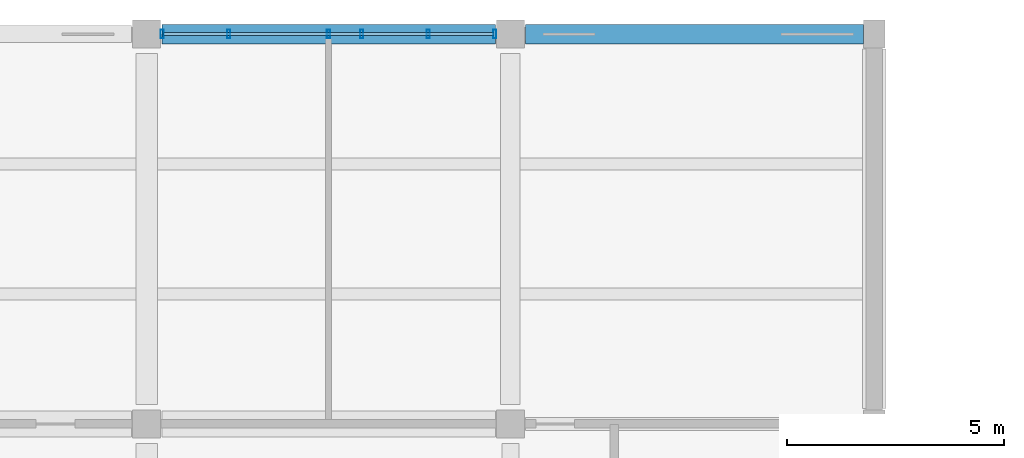
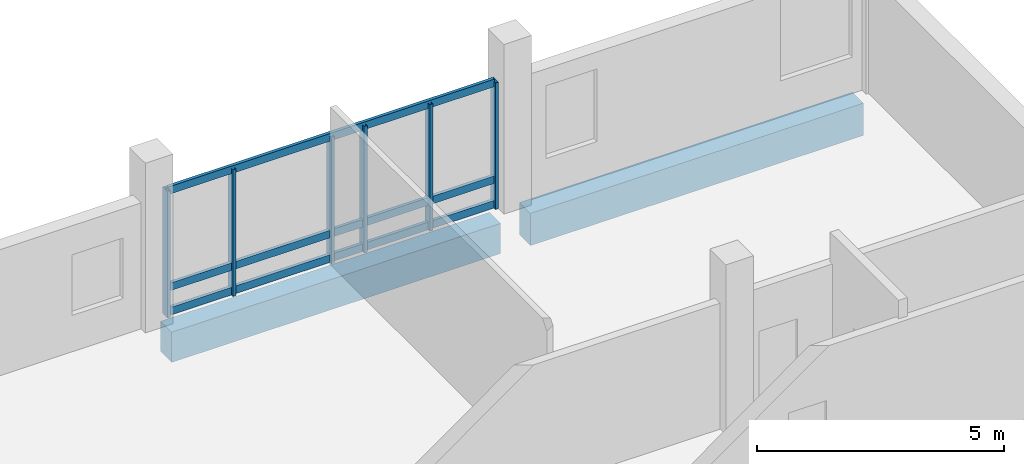
# One storey, part 64 of 101: 9 members, 2 beams, 1 element without a shape of its own.
"""IFC4 building model written with IfcOpenShell, lengths in metres."""

from ifc_helpers import new_model, si_unit, direction, frame, origin, origin_2d, place, context, subcontext, project, spatial, rectangle, hollow_rectangle, extrude, material, layer, layer_set, material_profile, profile_set, type_object, element, aggregate, save


model = new_model("IFC4")

# Units and contexts
model_context = context("Model", 3, precision=1e-05, world=origin(), true_north=direction((0.0, 1.0)))
body_context = subcontext(model_context, "Body", "Model", "MODEL_VIEW")
ifc_project = project(units=[si_unit("LENGTHUNIT", "METRE"), si_unit("AREAUNIT", "SQUARE_METRE"), si_unit("VOLUMEUNIT", "CUBIC_METRE"), si_unit("PLANEANGLEUNIT", "RADIAN"), si_unit("MASSUNIT", "GRAM", prefix="KILO")], contexts=[model_context])

# Site, building, storey
site_placement = place(None, origin())
site = spatial("IfcSite", under=ifc_project, at=site_placement, CompositionType="ELEMENT")
building_placement = place(site_placement, origin())
building = spatial("IfcBuilding", under=site, at=building_placement, Name="Vireocrest Preparatory School", CompositionType="ELEMENT")
storey_placement = place(building_placement, frame((0.0, 0.0, 4.800048828125)))
storey = spatial("IfcBuildingStorey", under=building, at=storey_placement, Name="L01", CompositionType="ELEMENT", Elevation=4.800048828125)

# Curtain wall, members
ifc_material_1 = material(Name="Thermally broken aluminium EN AW-6063-T6", Category="aluminium")
ifc_layer = layer(ifc_material_1, 0.179931640625)
ifc_layer_set = layer_set([ifc_layer], Name="Thermally broken aluminium EN AW-6063-T6")
curtain_wall_type = type_object("IfcCurtainWallType", Name="North Street Curtain Wall 8400x4000", PredefinedType="USERDEFINED", material=ifc_layer_set)
curtain_wall_placement = place(storey_placement, origin())
curtain_wall = element("IfcCurtainWall", 1, at=curtain_wall_placement, inside=storey, type_object=curtain_wall_type, Name="Curtain Wall CW05 CW_L01_CW05_1011_1128_048", ObjectType="CURTAIN WALL", PredefinedType="USERDEFINED")
ifc_material_profile_1 = material_profile(ifc_material_1, hollow_rectangle(XDim=0.074951171875, YDim=0.199951171875, WallThickness=0.0048828125, at=origin_2d()), Name="ALU 75x200x5")
ifc_profile_set_1 = profile_set([ifc_material_profile_1], Name="Thermally broken aluminium EN AW-6063-T6")
member_type_1 = type_object("IfcMemberType", Name="CW Mullion 75x200x5", PredefinedType="MULLION", material=ifc_profile_set_1)
member_1_placement = place(storey_placement, frame((101.159912109375, 112.800048828125, 0.0), z_axis=(0.0, 0.0, 1.0), x_axis=(1.0, 0.0, 0.0)))
member_1 = element("IfcMember", 2, at=member_1_placement, type_object=member_type_1, Name="CW Mullion ML3 CW_L01_CW05_1011_1128_048-1", PredefinedType="MULLION", context=body_context, shape_type="SweptSolid", body=[
    extrude(hollow_rectangle(XDim=0.074951171875, YDim=0.199951171875, WallThickness=0.0048828125, at=origin_2d()), origin(), (0.0, 0.0, 1.0), 3.135009765625),
])
member_2_placement = place(storey_placement, frame((102.696044921875, 112.800048828125, 0.0), z_axis=(0.0, 0.0, 1.0), x_axis=(1.0, 0.0, 0.0)))
member_2 = element("IfcMember", 3, at=member_2_placement, type_object=member_type_1, Name="CW Mullion ML3 CW_L01_CW05_1011_1128_048-2", PredefinedType="MULLION", context=body_context, shape_type="SweptSolid", body=[
    extrude(hollow_rectangle(XDim=0.074951171875, YDim=0.199951171875, WallThickness=0.0048828125, at=origin_2d()), origin(), (0.0, 0.0, 1.0), 3.135009765625),
])
member_3_placement = place(storey_placement, frame((105.0, 112.800048828125, 0.0), z_axis=(0.0, 0.0, 1.0), x_axis=(1.0, 0.0, 0.0)))
member_3 = element("IfcMember", 4, at=member_3_placement, type_object=member_type_1, Name="CW Mullion ML3 CW_L01_CW05_1011_1128_048-3", PredefinedType="MULLION", context=body_context, shape_type="SweptSolid", body=[
    extrude(hollow_rectangle(XDim=0.074951171875, YDim=0.199951171875, WallThickness=0.0048828125, at=origin_2d()), origin(), (0.0, 0.0, 1.0), 3.135009765625),
])
member_4_placement = place(storey_placement, frame((105.76806640625, 112.800048828125, 0.0), z_axis=(0.0, 0.0, 1.0), x_axis=(1.0, 0.0, 0.0)))
member_4 = element("IfcMember", 5, at=member_4_placement, type_object=member_type_1, Name="CW Mullion ML3 CW_L01_CW05_1011_1128_048-4", PredefinedType="MULLION", context=body_context, shape_type="SweptSolid", body=[
    extrude(hollow_rectangle(XDim=0.074951171875, YDim=0.199951171875, WallThickness=0.0048828125, at=origin_2d()), origin(), (0.0, 0.0, 1.0), 3.135009765625),
])
member_5_placement = place(storey_placement, frame((107.303955078125, 112.800048828125, 0.0), z_axis=(0.0, 0.0, 1.0), x_axis=(1.0, 0.0, 0.0)))
member_5 = element("IfcMember", 6, at=member_5_placement, type_object=member_type_1, Name="CW Mullion ML3 CW_L01_CW05_1011_1128_048-5", PredefinedType="MULLION", context=body_context, shape_type="SweptSolid", body=[
    extrude(hollow_rectangle(XDim=0.074951171875, YDim=0.199951171875, WallThickness=0.0048828125, at=origin_2d()), origin(), (0.0, 0.0, 1.0), 3.135009765625),
])
member_6_placement = place(storey_placement, frame((108.840087890625, 112.800048828125, 0.0), z_axis=(0.0, 0.0, 1.0), x_axis=(1.0, 0.0, 0.0)))
member_6 = element("IfcMember", 7, at=member_6_placement, type_object=member_type_1, Name="CW Mullion ML3 CW_L01_CW05_1011_1128_048-6", PredefinedType="MULLION", context=body_context, shape_type="SweptSolid", body=[
    extrude(hollow_rectangle(XDim=0.074951171875, YDim=0.199951171875, WallThickness=0.0048828125, at=origin_2d()), origin(), (0.0, 0.0, 1.0), 3.135009765625),
])
ifc_material_profile_2 = material_profile(ifc_material_1, hollow_rectangle(XDim=0.074951171875, YDim=0.18994140625, WallThickness=0.00390625, at=origin_2d()), Name="ALU 75x190x4")
ifc_profile_set_2 = profile_set([ifc_material_profile_2], Name="Thermally broken aluminium EN AW-6063-T6")
member_type_2 = type_object("IfcMemberType", Name="CW Transom 75x190x4", PredefinedType="USERDEFINED", material=ifc_profile_set_2)
member_7_placement = place(storey_placement, frame((101.18505859375, 112.800048828125, 0.094970703125), z_axis=(1.0, 0.0, 0.0), x_axis=(0.0, 1.0, 0.0)))
member_7 = element("IfcMember", 8, at=member_7_placement, type_object=member_type_2, Name="CW Transom TR3 CW_L01_CW05_1011_1128_048-1", ObjectType="TRANSOM", PredefinedType="USERDEFINED", context=body_context, shape_type="SweptSolid", body=[
    extrude(hollow_rectangle(XDim=0.074951171875, YDim=0.18994140625, WallThickness=0.00390625, at=origin_2d()), origin(), (0.0, 0.0, 1.0), 7.6298828125),
])
member_8_placement = place(storey_placement, frame((101.18505859375, 112.800048828125, 0.699951171875), z_axis=(1.0, 0.0, 0.0), x_axis=(0.0, 1.0, 0.0)))
member_8 = element("IfcMember", 9, at=member_8_placement, type_object=member_type_2, Name="CW Transom TR3 CW_L01_CW05_1011_1128_048-2", ObjectType="TRANSOM", PredefinedType="USERDEFINED", context=body_context, shape_type="SweptSolid", body=[
    extrude(hollow_rectangle(XDim=0.074951171875, YDim=0.18994140625, WallThickness=0.00390625, at=origin_2d()), origin(), (0.0, 0.0, 1.0), 7.6298828125),
])
member_9_placement = place(storey_placement, frame((101.18505859375, 112.800048828125, 3.094970703125), z_axis=(1.0, 0.0, 0.0), x_axis=(0.0, 1.0, 0.0)))
member_9 = element("IfcMember", 10, at=member_9_placement, type_object=member_type_2, Name="CW Transom TR3 CW_L01_CW05_1011_1128_048-3", ObjectType="TRANSOM", PredefinedType="USERDEFINED", context=body_context, shape_type="SweptSolid", body=[
    extrude(hollow_rectangle(XDim=0.074951171875, YDim=0.18994140625, WallThickness=0.00390625, at=origin_2d()), origin(), (0.0, 0.0, 1.0), 7.6298828125),
])
aggregate(curtain_wall, [member_1, member_2, member_3, member_4, member_5, member_6, member_7, member_8, member_9])

# Beams
ifc_material_2 = material(Name="Concrete 40 MPa", Category="concrete")
ifc_material_profile_3 = material_profile(ifc_material_2, rectangle(XDim=0.449951171875, YDim=0.75, at=origin_2d()), Name="RC 450x750")
ifc_profile_set_3 = profile_set([ifc_material_profile_3], Name="Concrete 40 MPa")
beam_type_1 = type_object("IfcBeamType", Name="RC Library Stack Girder 450x750", PredefinedType="BEAM", material=ifc_profile_set_3)
beam_1_placement = place(storey_placement, frame((101.14990234375, 112.800048828125, -0.655029296875), z_axis=(1.0, 0.0, 0.0), x_axis=(0.0, 1.0, 0.0)))
element("IfcBeam", 11, at=beam_1_placement, inside=storey, type_object=beam_type_1, Name="Primary Girder B11 L01-0369", PredefinedType="BEAM", context=body_context, shape_type="SweptSolid", body=[
    extrude(rectangle(XDim=0.449951171875, YDim=0.75, at=origin_2d()), origin(), (0.0, 0.0, 1.0), 7.7001953125),
])
ifc_material_profile_4 = material_profile(ifc_material_2, rectangle(XDim=0.449951171875, YDim=0.800048828125, at=origin_2d()), Name="RC 450x800")
ifc_profile_set_4 = profile_set([ifc_material_profile_4], Name="Concrete 40 MPa")
beam_type_2 = type_object("IfcBeamType", Name="RC Library Stack Girder 450x800", PredefinedType="BEAM", material=ifc_profile_set_4)
beam_2_placement = place(storey_placement, frame((109.550048828125, 112.800048828125, -0.679931640625), z_axis=(1.0, 0.0, 0.0), x_axis=(0.0, 1.0, 0.0)))
element("IfcBeam", 12, at=beam_2_placement, inside=storey, type_object=beam_type_2, Name="Primary Girder B12 L01-0370", PredefinedType="BEAM", context=body_context, shape_type="SweptSolid", body=[
    extrude(rectangle(XDim=0.449951171875, YDim=0.800048828125, at=origin_2d()), origin(), (0.0, 0.0, 1.0), 7.800048828125),
])

save(model, "model.ifc")
